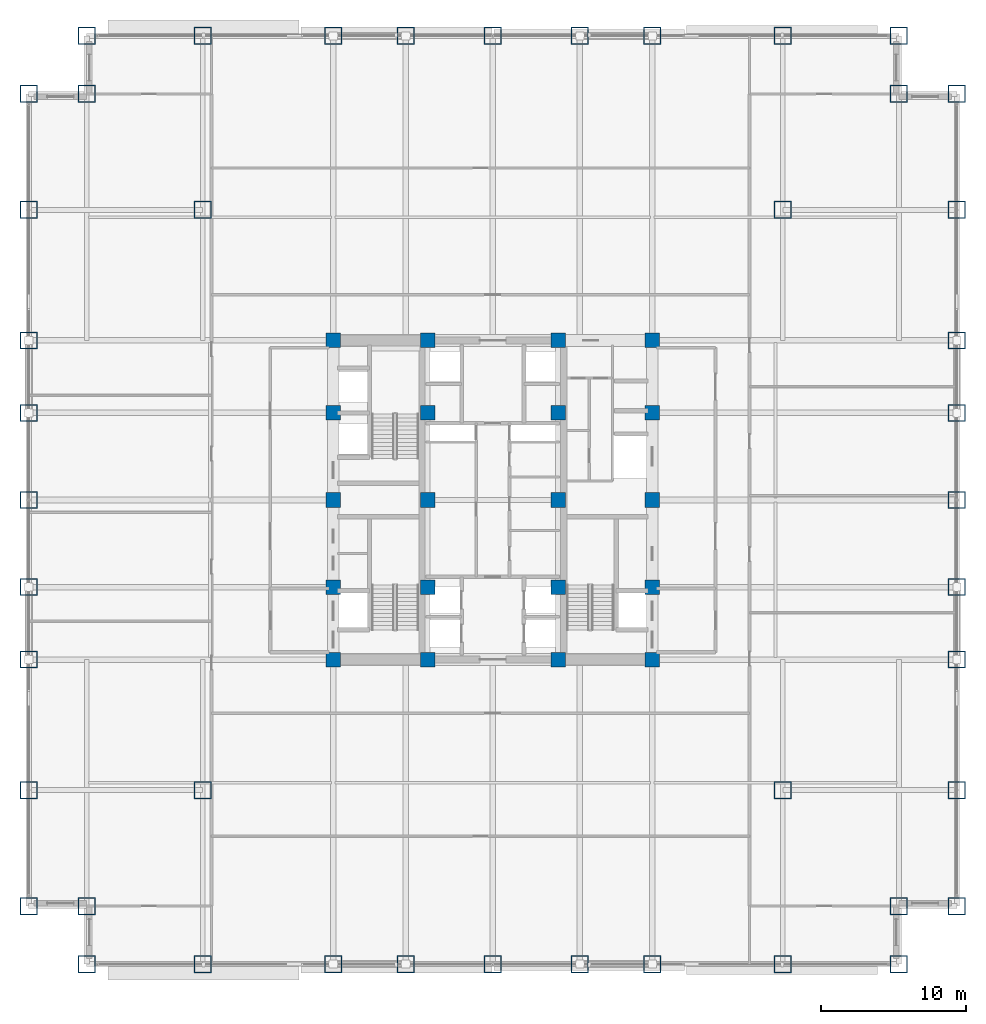
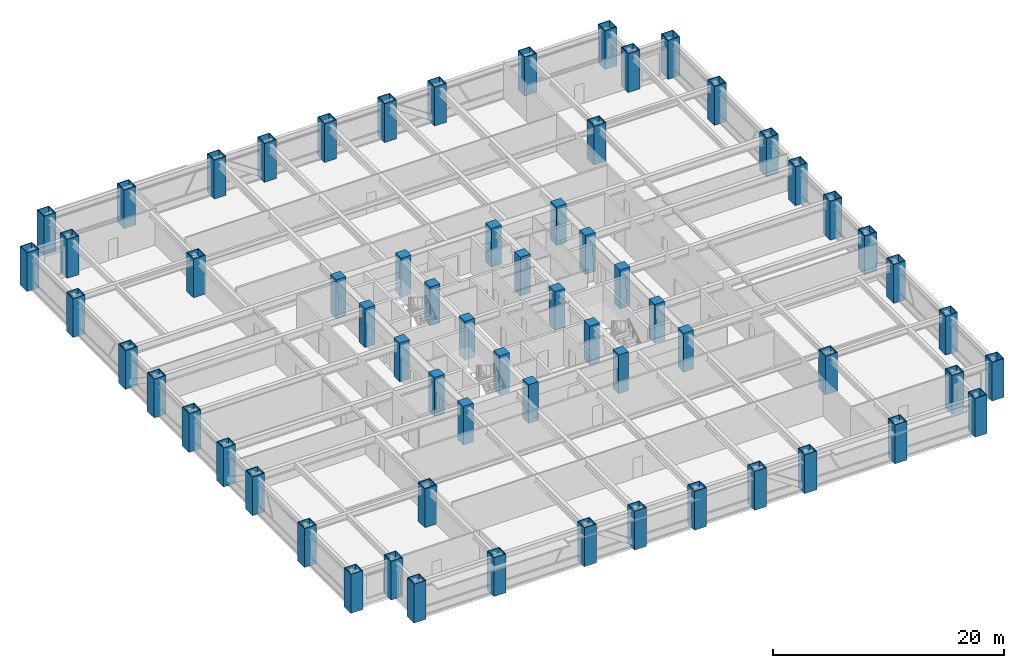
# One storey, part 1 of 32: 64 columns.
"""IFC4 building model written with IfcOpenShell, lengths in metres."""

import ifcopenshell
import ifcopenshell.guid

model = None  # the IFC model being written
_history = None  # IfcOwnerHistory: only IFC2X3 demands one
_inside = {}  # id of a spatial element -> (the spatial element, [elements in it])
_under = {}  # id of a project, library or spatial element -> (it, [spatial elements below it])
_declared = {}  # id of a project -> (the project, [libraries it declares])
_typed = {}  # id of a type object -> (the type object, [elements of that type])
_made_of = {}  # id of a material, layer set ... -> (it, [elements and type objects made of it])


def new_model(schema):
    """Start an empty IFC model of exactly this schema.

    Asked for "IFC4X3", IfcOpenShell would pick the latest addendum, in which some entities
    have other attributes; the version numbers below select the first issue.
    IFC2X3 requires an IfcOwnerHistory on every rooted entity: one is made here for all.
    """
    global model, _history
    if schema == "IFC4X3":
        model = ifcopenshell.file(schema_version=(4, 3, 0, 0))
    else:
        model = ifcopenshell.file(schema=schema)
    _inside.clear()
    _under.clear()
    _declared.clear()
    _typed.clear()
    _made_of.clear()
    _history = None
    if model.schema == "IFC2X3":
        org = make("IfcOrganization", Name="unknown")
        user = make(
            "IfcPersonAndOrganization",
            ThePerson=make("IfcPerson", FamilyName="unknown"),
            TheOrganization=org,
        )
        app = make(
            "IfcApplication",
            ApplicationDeveloper=org,
            Version="unknown",
            ApplicationFullName="unknown",
            ApplicationIdentifier="unknown",
        )
        _history = make(
            "IfcOwnerHistory",
            OwningUser=user,
            OwningApplication=app,
            ChangeAction="ADDED",
            CreationDate=0,
        )
    return model


def make(cls, **values):
    """One entity of the class cls with the attributes given. An attribute that is None is left unset."""
    return model.create_entity(
        cls, **{name: value for name, value in values.items() if value is not None}
    )


def rooted(cls, **values):
    """An entity with a GlobalId (a new one), such as an element, a storey or a relation."""
    return make(cls, GlobalId=ifcopenshell.guid.new(), OwnerHistory=_history, **values)


def si_unit(unit_type, name, prefix=None):
    """IfcSIUnit, for example si_unit("LENGTHUNIT", "METRE", prefix="MILLI")."""
    return make("IfcSIUnit", UnitType=unit_type, Prefix=prefix, Name=name)


def assignment(units):
    """IfcUnitAssignment: the units of a project."""
    return None if units is None else make("IfcUnitAssignment", Units=units)


def point(xyz):
    """IfcCartesianPoint."""
    return None if xyz is None else make("IfcCartesianPoint", Coordinates=xyz)


def direction(xyz):
    """IfcDirection."""
    return None if xyz is None else make("IfcDirection", DirectionRatios=xyz)


def frame(location, z_axis=None, x_axis=None):
    """IfcAxis2Placement3D, a coordinate frame: its origin and axes. An axis left out is left unset."""
    return make(
        "IfcAxis2Placement3D",
        Location=point(location),
        Axis=direction(z_axis),
        RefDirection=direction(x_axis),
    )


def frame_2d(location, x_axis=None):
    """IfcAxis2Placement2D, a coordinate frame in the plane: its origin and x axis."""
    return make(
        "IfcAxis2Placement2D", Location=point(location), RefDirection=direction(x_axis)
    )


def origin():
    """The frame at (0, 0, 0) with its axes left unset."""
    return frame((0.0, 0.0, 0.0))


def origin_2d():
    """The frame at (0, 0) in the plane with its x axis left unset."""
    return frame_2d((0.0, 0.0))


def place(relative_to, where):
    """IfcLocalPlacement: puts the frame where relative to a parent placement (None: the world)."""
    return make(
        "IfcLocalPlacement", PlacementRelTo=relative_to, RelativePlacement=where
    )


def context(
    kind, dimensions, precision=None, world=None, true_north=None, identifier=None
):
    """IfcGeometricRepresentationContext, for example the 3D "Model" context."""
    return make(
        "IfcGeometricRepresentationContext",
        ContextIdentifier=identifier,
        ContextType=kind,
        CoordinateSpaceDimension=dimensions,
        Precision=precision,
        WorldCoordinateSystem=world,
        TrueNorth=true_north,
    )


def subcontext(parent, identifier, kind, view, scale=None):
    """IfcGeometricRepresentationSubContext, for example "Body" below "Model"."""
    return make(
        "IfcGeometricRepresentationSubContext",
        ContextIdentifier=identifier,
        ContextType=kind,
        ParentContext=parent,
        TargetScale=scale,
        TargetView=view,
    )


def project(units=None, contexts=None):
    """IfcProject with its units and contexts."""
    return rooted(
        "IfcProject",
        Name="project",
        RepresentationContexts=contexts,
        UnitsInContext=assignment(units),
    )


def spatial(cls, under=None, at=None, **own):
    """A site, building, storey or space (cls), placed at a placement, below another one or the project."""
    s = rooted(cls, ObjectPlacement=at, **own)
    if under is not None:
        _under.setdefault(under.id(), (under, []))[1].append(s)
    return s


def profile(cls, at=None, kind="AREA", **sizes):
    """A parametric profile (cls). Its sizes go by their IFC names, for example OverallWidth=200.0."""
    return make(cls, ProfileType=kind, Position=at, **sizes)


def rectangle(**sizes):
    """IfcRectangleProfileDef."""
    return profile("IfcRectangleProfileDef", **sizes)


def hollow_rectangle(**sizes):
    """IfcRectangleHollowProfileDef."""
    return profile("IfcRectangleHollowProfileDef", **sizes)


def extrude(swept, where, along, depth):
    """IfcExtrudedAreaSolid: the profile swept, set in the frame where, extruded along a direction by depth."""
    return make(
        "IfcExtrudedAreaSolid",
        SweptArea=swept,
        Position=where,
        ExtrudedDirection=direction(along),
        Depth=depth,
    )


def shape(context_of_items, identifier, shape_type, items):
    """IfcShapeRepresentation: the items that make up one representation, for example the "Body"."""
    return make(
        "IfcShapeRepresentation",
        ContextOfItems=context_of_items,
        RepresentationIdentifier=identifier,
        RepresentationType=shape_type,
        Items=items,
    )


def source(mapping_origin, context_of_items, identifier, shape_type, items):
    """IfcRepresentationMap: a shape defined once, which mapped items show again and again."""
    return make(
        "IfcRepresentationMap",
        MappingOrigin=mapping_origin,
        MappedRepresentation=shape(context_of_items, identifier, shape_type, items),
    )


def transform(
    local_origin,
    x_axis=None,
    y_axis=None,
    z_axis=None,
    scale=None,
    scale2=None,
    scale3=None,
    uniform=True,
):
    """IfcCartesianTransformationOperator3D, or its non-uniform kind. x_axis, y_axis, z_axis: its Axis1, 2, 3."""
    if uniform:
        return make(
            "IfcCartesianTransformationOperator3D",
            Axis1=direction(x_axis),
            Axis2=direction(y_axis),
            LocalOrigin=point(local_origin),
            Scale=scale,
            Axis3=direction(z_axis),
        )
    return make(
        "IfcCartesianTransformationOperator3DnonUniform",
        Axis1=direction(x_axis),
        Axis2=direction(y_axis),
        LocalOrigin=point(local_origin),
        Scale=scale,
        Axis3=direction(z_axis),
        Scale2=scale2,
        Scale3=scale3,
    )


def mapped(mapping_source, mapping_target):
    """IfcMappedItem: shows the shape of a source again, moved by a transform."""
    return make(
        "IfcMappedItem", MappingSource=mapping_source, MappingTarget=mapping_target
    )


def material(Name=None, Category=None):
    """IfcMaterial."""
    return make("IfcMaterial", Name=Name, Category=Category)


def material_profile(
    of_material, cross_section, Name=None, Category=None, Priority=None
):
    """IfcMaterialProfile: a cross section and its material."""
    return make(
        "IfcMaterialProfile",
        Name=Name,
        Material=of_material,
        Profile=cross_section,
        Priority=Priority,
        Category=Category,
    )


def profile_set(profiles, Name=None, composite=None):
    """IfcMaterialProfileSet."""
    return make(
        "IfcMaterialProfileSet",
        Name=Name,
        MaterialProfiles=profiles,
        CompositeProfile=composite,
    )


def made_of(thing, what):
    """Note that an element or type object is made of a material, layer set ...; save() writes the relation."""
    if what is not None:
        _made_of.setdefault(what.id(), (what, []))[1].append(thing)
    return thing


def type_object(cls, material=None, **own):
    """A type object (cls), such as IfcWallType, which elements share."""
    return made_of(rooted(cls, **own), material)


def element(
    cls,
    number,
    at=None,
    inside=None,
    cuts=None,
    type_object=None,
    material=None,
    context=None,
    identifier="Body",
    shape_type=None,
    held_by="IfcProductDefinitionShape",
    body=None,
    shapes=None,
    **own,
):
    """One element of the class cls, such as IfcWall. Its Tag is "e" and its number.

    at: its placement. inside: the storey or other place that contains it. cuts: it is an
    opening in that element (IfcRelVoidsElement). A single representation is given by context,
    identifier, shape_type and body (its items); several are given by shapes. held_by: the class
    of the entity that holds the representations. save() writes the other relations.
    """
    e = rooted(cls, Tag="e%d" % number, ObjectPlacement=at, **own)
    if body is not None:
        shapes = [shape(context, identifier, shape_type, body)]
    if shapes is not None:
        e.Representation = make(held_by, Representations=shapes)
    if inside is not None:
        _inside.setdefault(inside.id(), (inside, []))[1].append(e)
    if cuts is not None:
        rooted(
            "IfcRelVoidsElement", RelatingBuildingElement=cuts, RelatedOpeningElement=e
        )
    if type_object is not None:
        _typed.setdefault(type_object.id(), (type_object, []))[1].append(e)
    return made_of(e, material)


def aggregate(whole, parts):
    """IfcRelAggregates: a whole, such as a stair, and the parts it consists of."""
    return rooted("IfcRelAggregates", RelatingObject=whole, RelatedObjects=parts)


def save(model, path):
    """Write the relations noted so far, then the file.

    IfcRelAggregates (storeys below a building ...), IfcRelContainedInSpatialStructure (elements
    in a storey), IfcRelDefinesByType, IfcRelAssociatesMaterial and IfcRelDeclares: one each for
    every whole, place, type object, material and project.
    """
    for whole, parts in _under.values():
        aggregate(whole, parts)
    for where, things in _inside.values():
        rooted(
            "IfcRelContainedInSpatialStructure",
            RelatedElements=things,
            RelatingStructure=where,
        )
    for kind, things in _typed.values():
        rooted("IfcRelDefinesByType", RelatedObjects=things, RelatingType=kind)
    for what, things in _made_of.values():
        rooted("IfcRelAssociatesMaterial", RelatedObjects=things, RelatingMaterial=what)
    for by, libraries in _declared.values():
        rooted("IfcRelDeclares", RelatingContext=by, RelatedDefinitions=libraries)
    model.write(path)


model = new_model("IFC4")

# Units and contexts
model_context = context("Model", 3, precision=1e-05, world=origin(), true_north=direction((0.0, 1.0)))
body_context = subcontext(model_context, "Body", "Model", "MODEL_VIEW")
ifc_project = project(units=[si_unit("LENGTHUNIT", "METRE"), si_unit("AREAUNIT", "SQUARE_METRE"), si_unit("VOLUMEUNIT", "CUBIC_METRE"), si_unit("PLANEANGLEUNIT", "RADIAN"), si_unit("MASSUNIT", "GRAM", prefix="KILO")], contexts=[model_context])

# Site, building, storey
site_placement = place(None, origin())
site = spatial("IfcSite", under=ifc_project, at=site_placement, CompositionType="ELEMENT")
building_placement = place(site_placement, origin())
building = spatial("IfcBuilding", under=site, at=building_placement, Name="Khorayat Bourse Tower", CompositionType="ELEMENT")
storey_placement = place(building_placement, frame((0.0, 0.0, 95.5)))
storey = spatial("IfcBuildingStorey", under=building, at=storey_placement, Name="L21", CompositionType="ELEMENT", Elevation=95.5)

# Columns
ifc_material_1 = material(Name="Steel EN 10025-4 S460M", Category="steel")
ifc_material_profile_1 = material_profile(ifc_material_1, hollow_rectangle(XDim=1.199951171875, YDim=1.199951171875, WallThickness=0.070068359375, at=origin_2d()), Name="BOX 1200x1200x70")
ifc_profile_set_1 = profile_set([ifc_material_profile_1], Name="Steel EN 10025-4 S460M")
column_type_1 = type_object("IfcColumnType", Name="COL-TUBE-1200", PredefinedType="COLUMN", material=ifc_profile_set_1)
shared_shape_1 = source(origin(), body_context, "Body", "SweptSolid", [
    extrude(hollow_rectangle(XDim=1.199951171875, YDim=1.199951171875, WallThickness=0.070068359375, at=origin_2d()), origin(), (0.0, 0.0, 1.0), 4.10009765625),
])
for number, where, z_axis, x_axis, name in (
    (1, (-32.0, -28.0, 0.0), (0.0, 0.0, 1.0), (1.0, 0.0, 0.0), "L21 Column 001"),
    (2, (-32.0, -20.0, 0.0), (0.0, 0.0, 1.0), (1.0, 0.0, 0.0), "L21 Column 002"),
    (3, (-32.0, -11.0, 0.0), (0.0, 0.0, 1.0), (1.0, 0.0, 0.0), "L21 Column 003"),
    (4, (-32.0, -6.0, 0.0), (0.0, 0.0, 1.0), (1.0, 0.0, 0.0), "L21 Column 004"),
    (5, (-32.0, 0.0, 0.0), (0.0, 0.0, 1.0), (1.0, 0.0, 0.0), "L21 Column 005"),
    (6, (-32.0, 6.0, 0.0), (0.0, 0.0, 1.0), (1.0, 0.0, 0.0), "L21 Column 006"),
    (7, (-32.0, 11.0, 0.0), (0.0, 0.0, 1.0), (1.0, 0.0, 0.0), "L21 Column 007"),
    (8, (-32.0, 20.0, 0.0), (0.0, 0.0, 1.0), (1.0, 0.0, 0.0), "L21 Column 008"),
    (9, (-32.0, 28.0, 0.0), (0.0, 0.0, 1.0), (1.0, 0.0, 0.0), "L21 Column 009"),
    (10, (-28.0, -32.0, 0.0), (0.0, 0.0, 1.0), (1.0, 0.0, 0.0), "L21 Column 010"),
    (11, (-28.0, -28.0, 0.0), (0.0, 0.0, 1.0), (1.0, 0.0, 0.0), "L21 Column 011"),
    (12, (-28.0, 28.0, 0.0), (0.0, 0.0, 1.0), (1.0, 0.0, 0.0), "L21 Column 012"),
    (13, (-28.0, 32.0, 0.0), (0.0, 0.0, 1.0), (1.0, 0.0, 0.0), "L21 Column 013"),
    (14, (-20.0, -32.0, 0.0), (0.0, 0.0, 1.0), (1.0, 0.0, 0.0), "L21 Column 014"),
    (15, (-20.0, -20.0, 0.0), (0.0, 0.0, 1.0), (1.0, 0.0, 0.0), "L21 Column 015"),
    (16, (-20.0, 20.0, 0.0), (0.0, 0.0, 1.0), (1.0, 0.0, 0.0), "L21 Column 016"),
    (17, (-20.0, 32.0, 0.0), (0.0, 0.0, 1.0), (1.0, 0.0, 0.0), "L21 Column 017"),
    (18, (-11.0, -32.0, 0.0), (0.0, 0.0, 1.0), (1.0, 0.0, 0.0), "L21 Column 018"),
    (19, (-11.0, 32.0, 0.0), (0.0, 0.0, 1.0), (1.0, 0.0, 0.0), "L21 Column 024"),
    (20, (-6.0, -32.0, 0.0), (0.0, 0.0, 1.0), (1.0, 0.0, 0.0), "L21 Column 025"),
    (21, (-6.0, 32.0, 0.0), (0.0, 0.0, 1.0), (1.0, 0.0, 0.0), "L21 Column 026"),
    (22, (0.0, -32.0, 0.0), (0.0, 0.0, 1.0), (1.0, 0.0, 0.0), "L21 Column 032"),
    (23, (0.0, 32.0, 0.0), (0.0, 0.0, 1.0), (1.0, 0.0, 0.0), "L21 Column 033"),
    (24, (6.0, -32.0, 0.0), (0.0, 0.0, 1.0), (1.0, 0.0, 0.0), "L21 Column 039"),
    (25, (6.0, 32.0, 0.0), (0.0, 0.0, 1.0), (1.0, 0.0, 0.0), "L21 Column 040"),
    (26, (11.0, -32.0, 0.0), (0.0, 0.0, 1.0), (1.0, 0.0, 0.0), "L21 Column 041"),
    (27, (11.0, 32.0, 0.0), (0.0, 0.0, 1.0), (1.0, 0.0, 0.0), "L21 Column 047"),
    (28, (20.0, -32.0, 0.0), (0.0, 0.0, 1.0), (1.0, 0.0, 0.0), "L21 Column 048"),
    (29, (20.0, -20.0, 0.0), (0.0, 0.0, 1.0), (1.0, 0.0, 0.0), "L21 Column 049"),
    (30, (20.0, 20.0, 0.0), (0.0, 0.0, 1.0), (1.0, 0.0, 0.0), "L21 Column 050"),
    (31, (20.0, 32.0, 0.0), (0.0, 0.0, 1.0), (1.0, 0.0, 0.0), "L21 Column 051"),
    (32, (28.0, -32.0, 0.0), (0.0, 0.0, 1.0), (1.0, 0.0, 0.0), "L21 Column 052"),
    (33, (28.0, -28.0, 0.0), (0.0, 0.0, 1.0), (1.0, 0.0, 0.0), "L21 Column 053"),
    (34, (28.0, 28.0, 0.0), (0.0, 0.0, 1.0), (1.0, 0.0, 0.0), "L21 Column 054"),
    (35, (28.0, 32.0, 0.0), (0.0, 0.0, 1.0), (1.0, 0.0, 0.0), "L21 Column 055"),
    (36, (32.0, -28.0, 0.0), (0.0, 0.0, 1.0), (1.0, 0.0, 0.0), "L21 Column 056"),
    (37, (32.0, -20.0, 0.0), (0.0, 0.0, 1.0), (1.0, 0.0, 0.0), "L21 Column 057"),
    (38, (32.0, -11.0, 0.0), (0.0, 0.0, 1.0), (1.0, 0.0, 0.0), "L21 Column 058"),
    (39, (32.0, -6.0, 0.0), (0.0, 0.0, 1.0), (1.0, 0.0, 0.0), "L21 Column 059"),
    (40, (32.0, 0.0, 0.0), (0.0, 0.0, 1.0), (1.0, 0.0, 0.0), "L21 Column 060"),
    (41, (32.0, 6.0, 0.0), (0.0, 0.0, 1.0), (1.0, 0.0, 0.0), "L21 Column 061"),
    (42, (32.0, 11.0, 0.0), (0.0, 0.0, 1.0), (1.0, 0.0, 0.0), "L21 Column 062"),
    (43, (32.0, 20.0, 0.0), (0.0, 0.0, 1.0), (1.0, 0.0, 0.0), "L21 Column 063"),
    (44, (32.0, 28.0, 0.0), (0.0, 0.0, 1.0), (1.0, 0.0, 0.0), "L21 Column 064"),
):
    element("IfcColumn", number, at=place(storey_placement, frame(where, z_axis=z_axis, x_axis=x_axis)), inside=storey, type_object=column_type_1, Name=name, PredefinedType="COLUMN", context=body_context, shape_type="MappedRepresentation", body=[
        mapped(shared_shape_1, transform((0.0, 0.0, 0.0), scale=1.0)),
    ])
ifc_material_2 = material(Name="Concrete C72/90", Category="concrete")
ifc_material_profile_2 = material_profile(ifc_material_2, rectangle(XDim=1.0, YDim=1.0, at=origin_2d()), Name="RC 1000x1000")
ifc_profile_set_2 = profile_set([ifc_material_profile_2], Name="Concrete C72/90")
column_type_2 = type_object("IfcColumnType", Name="COL-CORE-1000", PredefinedType="COLUMN", material=ifc_profile_set_2)
shared_shape_2 = source(origin(), body_context, "Body", "SweptSolid", [
    extrude(rectangle(XDim=1.0, YDim=1.0, at=origin_2d()), origin(), (0.0, 0.0, 1.0), 4.10009765625),
])
for number, where, z_axis, x_axis, name in (
    (45, (-11.0, -11.0, 0.0), (0.0, 0.0, 1.0), (1.0, 0.0, 0.0), "L21 Column 019"),
    (46, (-11.0, -6.0, 0.0), (0.0, 0.0, 1.0), (1.0, 0.0, 0.0), "L21 Column 020"),
    (47, (-11.0, 0.0, 0.0), (0.0, 0.0, 1.0), (1.0, 0.0, 0.0), "L21 Column 021"),
    (48, (-11.0, 6.0, 0.0), (0.0, 0.0, 1.0), (1.0, 0.0, 0.0), "L21 Column 022"),
    (49, (-11.0, 11.0, 0.0), (0.0, 0.0, 1.0), (1.0, 0.0, 0.0), "L21 Column 023"),
    (50, (-4.5, -11.0, 0.0), (0.0, 0.0, 1.0), (1.0, 0.0, 0.0), "L21 Column 027"),
    (51, (-4.5, -6.0, 0.0), (0.0, 0.0, 1.0), (1.0, 0.0, 0.0), "L21 Column 028"),
    (52, (-4.5, 0.0, 0.0), (0.0, 0.0, 1.0), (1.0, 0.0, 0.0), "L21 Column 029"),
    (53, (-4.5, 6.0, 0.0), (0.0, 0.0, 1.0), (1.0, 0.0, 0.0), "L21 Column 030"),
    (54, (-4.5, 11.0, 0.0), (0.0, 0.0, 1.0), (1.0, 0.0, 0.0), "L21 Column 031"),
    (55, (4.5, -11.0, 0.0), (0.0, 0.0, 1.0), (1.0, 0.0, 0.0), "L21 Column 034"),
    (56, (4.5, -6.0, 0.0), (0.0, 0.0, 1.0), (1.0, 0.0, 0.0), "L21 Column 035"),
    (57, (4.5, 0.0, 0.0), (0.0, 0.0, 1.0), (1.0, 0.0, 0.0), "L21 Column 036"),
    (58, (4.5, 6.0, 0.0), (0.0, 0.0, 1.0), (1.0, 0.0, 0.0), "L21 Column 037"),
    (59, (4.5, 11.0, 0.0), (0.0, 0.0, 1.0), (1.0, 0.0, 0.0), "L21 Column 038"),
    (60, (11.0, -11.0, 0.0), (0.0, 0.0, 1.0), (1.0, 0.0, 0.0), "L21 Column 042"),
    (61, (11.0, -6.0, 0.0), (0.0, 0.0, 1.0), (1.0, 0.0, 0.0), "L21 Column 043"),
    (62, (11.0, 0.0, 0.0), (0.0, 0.0, 1.0), (1.0, 0.0, 0.0), "L21 Column 044"),
    (63, (11.0, 6.0, 0.0), (0.0, 0.0, 1.0), (1.0, 0.0, 0.0), "L21 Column 045"),
    (64, (11.0, 11.0, 0.0), (0.0, 0.0, 1.0), (1.0, 0.0, 0.0), "L21 Column 046"),
):
    element("IfcColumn", number, at=place(storey_placement, frame(where, z_axis=z_axis, x_axis=x_axis)), inside=storey, type_object=column_type_2, Name=name, PredefinedType="COLUMN", context=body_context, shape_type="MappedRepresentation", body=[
        mapped(shared_shape_2, transform((0.0, 0.0, 0.0), scale=1.0)),
    ])

save(model, "model.ifc")
